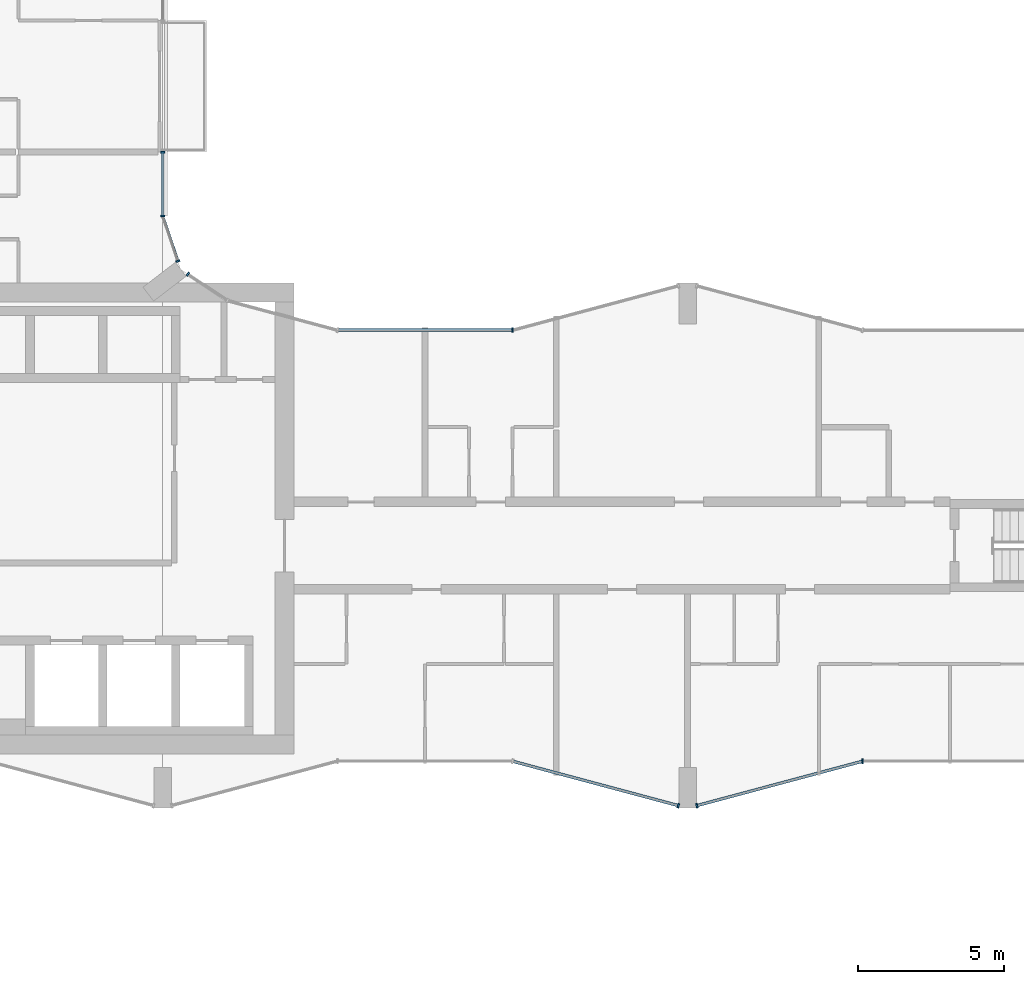
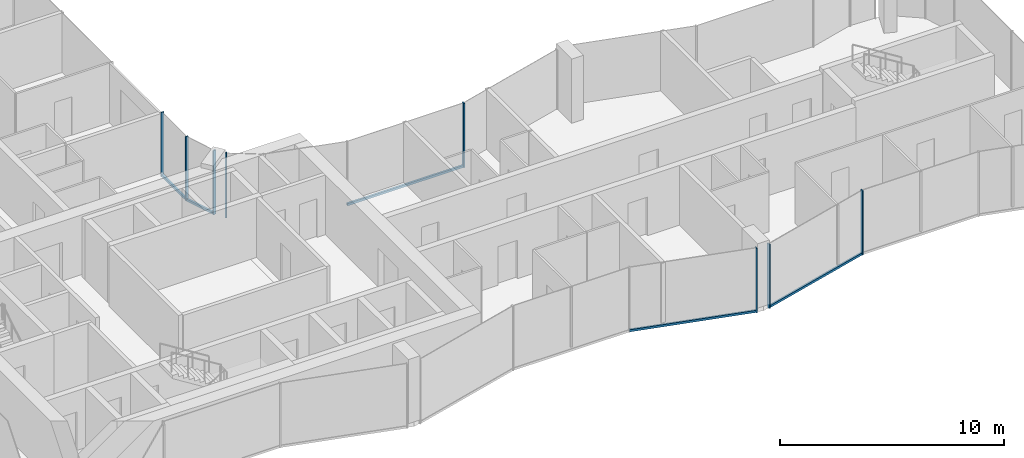
# One storey, part 4 of 22: 13 members, 7 elements without a shape of their own.
"""IFC4 building model written with IfcOpenShell, lengths in metres."""

from ifc_helpers import new_model, si_unit, direction, frame, origin, origin_2d, place, context, subcontext, project, spatial, rectangle, extrude, material, layer, layer_set, material_profile, profile_set, type_object, element, aggregate, save


model = new_model("IFC4")

# Units and contexts
model_context = context("Model", 3, precision=1e-05, world=origin(), true_north=direction((0.0, 1.0)))
body_context = subcontext(model_context, "Body", "Model", "MODEL_VIEW")
ifc_project = project(units=[si_unit("LENGTHUNIT", "METRE"), si_unit("AREAUNIT", "SQUARE_METRE"), si_unit("VOLUMEUNIT", "CUBIC_METRE"), si_unit("PLANEANGLEUNIT", "RADIAN"), si_unit("MASSUNIT", "GRAM", prefix="KILO")], contexts=[model_context])

# Site, building, storey
site_placement = place(None, origin())
site = spatial("IfcSite", under=ifc_project, at=site_placement, CompositionType="ELEMENT")
building_placement = place(site_placement, origin())
building = spatial("IfcBuilding", under=site, at=building_placement, Name="Plateau Cross Towers", CompositionType="ELEMENT")
storey_placement = place(building_placement, frame((0.0, 0.0, 109.800048828125)))
storey = spatial("IfcBuildingStorey", under=building, at=storey_placement, Name="L28", CompositionType="ELEMENT", Elevation=109.800048828125)

# Curtain wall, member
ifc_material_1 = material(Name="Dark low-iron glass", Category="glass")
ifc_layer_1 = layer(ifc_material_1, 0.239990234375)
ifc_layer_set_1 = layer_set([ifc_layer_1], Name="Dark low-iron glass")
curtain_wall_type_1 = type_object("IfcCurtainWallType", Name="Curtain wall flush unitised CW-B", PredefinedType="NOTDEFINED", material=ifc_layer_set_1)
curtain_wall_1_placement = place(storey_placement, origin())
curtain_wall_1 = element("IfcCurtainWall", 1, at=curtain_wall_1_placement, inside=storey, type_object=curtain_wall_type_1, Name="ENV/A/L28/A202_174", PredefinedType="NOTDEFINED")
ifc_material_2 = material(Name="Black anodised aluminium", Category="aluminium")
ifc_material_profile_1 = material_profile(ifc_material_2, rectangle(XDim=0.06005859375, YDim=0.139892578125, at=origin_2d()), Name="MULLION 60x140")
ifc_profile_set_1 = profile_set([ifc_material_profile_1], Name="Black anodised aluminium")
member_type_1 = type_object("IfcMemberType", Name="Mullion 60x140 flush unitised", PredefinedType="MULLION", material=ifc_profile_set_1)
member_1_placement = place(storey_placement, frame((18.86962890625, 18.30908203125, -0.25), z_axis=(0.0, 0.0, 1.0), x_axis=(-0.831521253329, 0.555492938984, 0.0)))
member_1 = element("IfcMember", 2, at=member_1_placement, type_object=member_type_1, Name="CW-B mullion 2", PredefinedType="MULLION", context=body_context, shape_type="SweptSolid", body=[
    extrude(rectangle(XDim=0.06005859375, YDim=0.139892578125, at=origin_2d()), origin(), (0.0, 0.0, 1.0), 3.5),
])
aggregate(curtain_wall_1, [member_1])

curtain_wall_2_placement = place(storey_placement, origin())
curtain_wall_2 = element("IfcCurtainWall", 3, at=curtain_wall_2_placement, inside=storey, type_object=curtain_wall_type_1, Name="ENV/A/L28/A185_188", PredefinedType="NOTDEFINED")
member_2_placement = place(storey_placement, frame((18.523681640625, 18.760009765625, -0.25), z_axis=(0.0, 0.0, 1.0), x_axis=(-0.321469161574, 0.94692004845, 0.0)))
member_2 = element("IfcMember", 4, at=member_2_placement, type_object=member_type_1, Name="CW-B mullion 1", PredefinedType="MULLION", context=body_context, shape_type="SweptSolid", body=[
    extrude(rectangle(XDim=0.06005859375, YDim=0.139892578125, at=origin_2d()), origin(), (0.0, 0.0, 1.0), 3.5),
])

# Curtain wall, members
curtain_wall_3_placement = place(storey_placement, origin())
curtain_wall_3 = element("IfcCurtainWall", 5, at=curtain_wall_3_placement, inside=storey, type_object=curtain_wall_type_1, Name="ENV/A/L28/A180_203", PredefinedType="NOTDEFINED")
member_3_placement = place(storey_placement, frame((18.0, 20.30224609375, -0.25), z_axis=(0.0, 0.0, 1.0), x_axis=(0.0, 1.0, 0.0)))
member_3 = element("IfcMember", 6, at=member_3_placement, type_object=member_type_1, Name="CW-B mullion 1", PredefinedType="MULLION", context=body_context, shape_type="SweptSolid", body=[
    extrude(rectangle(XDim=0.06005859375, YDim=0.139892578125, at=origin_2d()), origin(), (0.0, 0.0, 1.0), 3.5),
])
member_4_placement = place(storey_placement, frame((18.0, 22.489990234375, -0.25), z_axis=(0.0, 0.0, 1.0), x_axis=(0.0, 1.0, 0.0)))
member_4 = element("IfcMember", 7, at=member_4_placement, type_object=member_type_1, Name="CW-B mullion 2", PredefinedType="MULLION", context=body_context, shape_type="SweptSolid", body=[
    extrude(rectangle(XDim=0.06005859375, YDim=0.139892578125, at=origin_2d()), origin(), (0.0, 0.0, 1.0), 3.5),
])

# Curtain wall, member
ifc_layer_2 = layer(ifc_material_1, 0.260009765625)
ifc_layer_set_2 = layer_set([ifc_layer_2], Name="Dark low-iron glass")
curtain_wall_type_2 = type_object("IfcCurtainWallType", Name="Curtain wall fluted unitised CW-A", PredefinedType="NOTDEFINED", material=ifc_layer_set_2)
curtain_wall_4_placement = place(storey_placement, origin())
curtain_wall_4 = element("IfcCurtainWall", 8, at=curtain_wall_4_placement, inside=storey, type_object=curtain_wall_type_2, Name="ENV/A/L28/A300_16", PredefinedType="NOTDEFINED")
ifc_material_profile_2 = material_profile(ifc_material_2, rectangle(XDim=0.06005859375, YDim=0.159912109375, at=origin_2d()), Name="MULLION 60x160")
ifc_profile_set_2 = profile_set([ifc_material_profile_2], Name="Black anodised aluminium")
member_type_2 = type_object("IfcMemberType", Name="Mullion 60x160 fluted unitised", PredefinedType="MULLION", material=ifc_profile_set_2)
member_5_placement = place(storey_placement, frame((35.68212890625, 0.085205078125, -0.25), z_axis=(0.0, 0.0, 1.0), x_axis=(0.965957983404, -0.258699003279, 0.0)))
member_5 = element("IfcMember", 9, at=member_5_placement, type_object=member_type_2, Name="CW-A mullion 2", PredefinedType="MULLION", context=body_context, shape_type="SweptSolid", body=[
    extrude(rectangle(XDim=0.06005859375, YDim=0.159912109375, at=origin_2d()), origin(), (0.0, 0.0, 1.0), 3.5),
])

curtain_wall_5_placement = place(storey_placement, origin())
curtain_wall_5 = element("IfcCurtainWall", 10, at=curtain_wall_5_placement, inside=storey, type_object=curtain_wall_type_2, Name="ENV/A/L28/A363_1", PredefinedType="NOTDEFINED")
member_6_placement = place(storey_placement, frame((36.31787109375, 0.085205078125, -0.25), z_axis=(0.0, 0.0, 1.0), x_axis=(0.965957983404, 0.258699003279, 0.0)))
member_6 = element("IfcMember", 11, at=member_6_placement, type_object=member_type_2, Name="CW-A mullion 1", PredefinedType="MULLION", context=body_context, shape_type="SweptSolid", body=[
    extrude(rectangle(XDim=0.06005859375, YDim=0.159912109375, at=origin_2d()), origin(), (0.0, 0.0, 1.0), 3.5),
])

curtain_wall_6_placement = place(storey_placement, origin())
curtain_wall_6 = element("IfcCurtainWall", 12, at=curtain_wall_6_placement, inside=storey, type_object=curtain_wall_type_2, Name="ENV/A/L28/A420_16", PredefinedType="NOTDEFINED")
member_7_placement = place(storey_placement, frame((42.0, 1.60693359375, -0.25), z_axis=(0.0, 0.0, 1.0), x_axis=(1.0, 0.0, 0.0)))
member_7 = element("IfcMember", 13, at=member_7_placement, type_object=member_type_2, Name="CW-A mullion 1", PredefinedType="MULLION", context=body_context, shape_type="SweptSolid", body=[
    extrude(rectangle(XDim=0.06005859375, YDim=0.159912109375, at=origin_2d()), origin(), (0.0, 0.0, 1.0), 3.5),
])
aggregate(curtain_wall_6, [member_7])

curtain_wall_7_placement = place(storey_placement, origin())
curtain_wall_7 = element("IfcCurtainWall", 14, at=curtain_wall_7_placement, inside=storey, type_object=curtain_wall_type_2, Name="ENV/A/L28/A300_164", PredefinedType="NOTDEFINED")
member_8_placement = place(storey_placement, frame((30.0, 16.39306640625, -0.25), z_axis=(0.0, 0.0, 1.0), x_axis=(-1.0, 0.0, 0.0)))
member_8 = element("IfcMember", 15, at=member_8_placement, type_object=member_type_2, Name="CW-A mullion 1", PredefinedType="MULLION", context=body_context, shape_type="SweptSolid", body=[
    extrude(rectangle(XDim=0.06005859375, YDim=0.159912109375, at=origin_2d()), origin(), (0.0, 0.0, 1.0), 3.5),
])

# Member
ifc_material_profile_3 = material_profile(ifc_material_2, rectangle(XDim=0.10009765625, YDim=0.1201171875, at=origin_2d()), Name="TRANSOM 100x120")
ifc_profile_set_3 = profile_set([ifc_material_profile_3], Name="Black anodised aluminium")
member_type_3 = type_object("IfcMemberType", Name="Transom 100x120 flush unitised", PredefinedType="USERDEFINED", material=ifc_profile_set_3)
member_9_placement = place(storey_placement, frame((18.523681640625, 18.760009765625, -0.18994140625), z_axis=(-0.321529174838, 0.946899672472, 0.0), x_axis=(-0.946899672472, -0.321529174838, 0.0)))
member_9 = element("IfcMember", 16, at=member_9_placement, type_object=member_type_3, Name="CW-B transom", ObjectType="TRANSOM", PredefinedType="USERDEFINED", context=body_context, shape_type="SweptSolid", body=[
    extrude(rectangle(XDim=0.10009765625, YDim=0.1201171875, at=origin_2d()), origin(), (0.0, 0.0, 1.0), 1.628662109375),
])

aggregate(curtain_wall_2, [member_2, member_9])

member_10_placement = place(storey_placement, frame((18.0, 20.30224609375, -0.18994140625), z_axis=(0.0, 1.0, 0.0), x_axis=(-1.0, 0.0, 0.0)))
member_10 = element("IfcMember", 17, at=member_10_placement, type_object=member_type_3, Name="CW-B transom", ObjectType="TRANSOM", PredefinedType="USERDEFINED", context=body_context, shape_type="SweptSolid", body=[
    extrude(rectangle(XDim=0.10009765625, YDim=0.1201171875, at=origin_2d()), origin(), (0.0, 0.0, 1.0), 2.187744140625),
])

aggregate(curtain_wall_3, [member_3, member_4, member_10])

ifc_material_profile_4 = material_profile(ifc_material_2, rectangle(XDim=0.10009765625, YDim=0.1201171875, at=origin_2d()), Name="TRANSOM 100x120")
ifc_profile_set_4 = profile_set([ifc_material_profile_4], Name="Black anodised aluminium")
member_type_4 = type_object("IfcMemberType", Name="Transom 100x120 fluted unitised", PredefinedType="USERDEFINED", material=ifc_profile_set_4)
member_11_placement = place(storey_placement, frame((30.0, 1.60693359375, -0.18994140625), z_axis=(0.965959534794, -0.258693210465, 0.0), x_axis=(0.258693210465, 0.965959534794, 0.0)))
member_11 = element("IfcMember", 18, at=member_11_placement, type_object=member_type_4, Name="CW-A transom", ObjectType="TRANSOM", PredefinedType="USERDEFINED", context=body_context, shape_type="SweptSolid", body=[
    extrude(rectangle(XDim=0.10009765625, YDim=0.1201171875, at=origin_2d()), origin(), (0.0, 0.0, 1.0), 5.88232421875),
])

aggregate(curtain_wall_4, [member_5, member_11])

member_12_placement = place(storey_placement, frame((36.31787109375, 0.085205078125, -0.18994140625), z_axis=(0.965959534794, 0.258693210465, 0.0), x_axis=(-0.258693210465, 0.965959534794, 0.0)))
member_12 = element("IfcMember", 19, at=member_12_placement, type_object=member_type_4, Name="CW-A transom", ObjectType="TRANSOM", PredefinedType="USERDEFINED", context=body_context, shape_type="SweptSolid", body=[
    extrude(rectangle(XDim=0.10009765625, YDim=0.1201171875, at=origin_2d()), origin(), (0.0, 0.0, 1.0), 5.88232421875),
])

aggregate(curtain_wall_5, [member_6, member_12])

member_13_placement = place(storey_placement, frame((30.0, 16.39306640625, -0.18994140625), z_axis=(-1.0, 0.0, 0.0), x_axis=(0.0, -1.0, 0.0)))
member_13 = element("IfcMember", 20, at=member_13_placement, type_object=member_type_4, Name="CW-A transom", ObjectType="TRANSOM", PredefinedType="USERDEFINED", context=body_context, shape_type="SweptSolid", body=[
    extrude(rectangle(XDim=0.10009765625, YDim=0.1201171875, at=origin_2d()), origin(), (0.0, 0.0, 1.0), 6.0),
])

aggregate(curtain_wall_7, [member_8, member_13])

save(model, "model.ifc")
